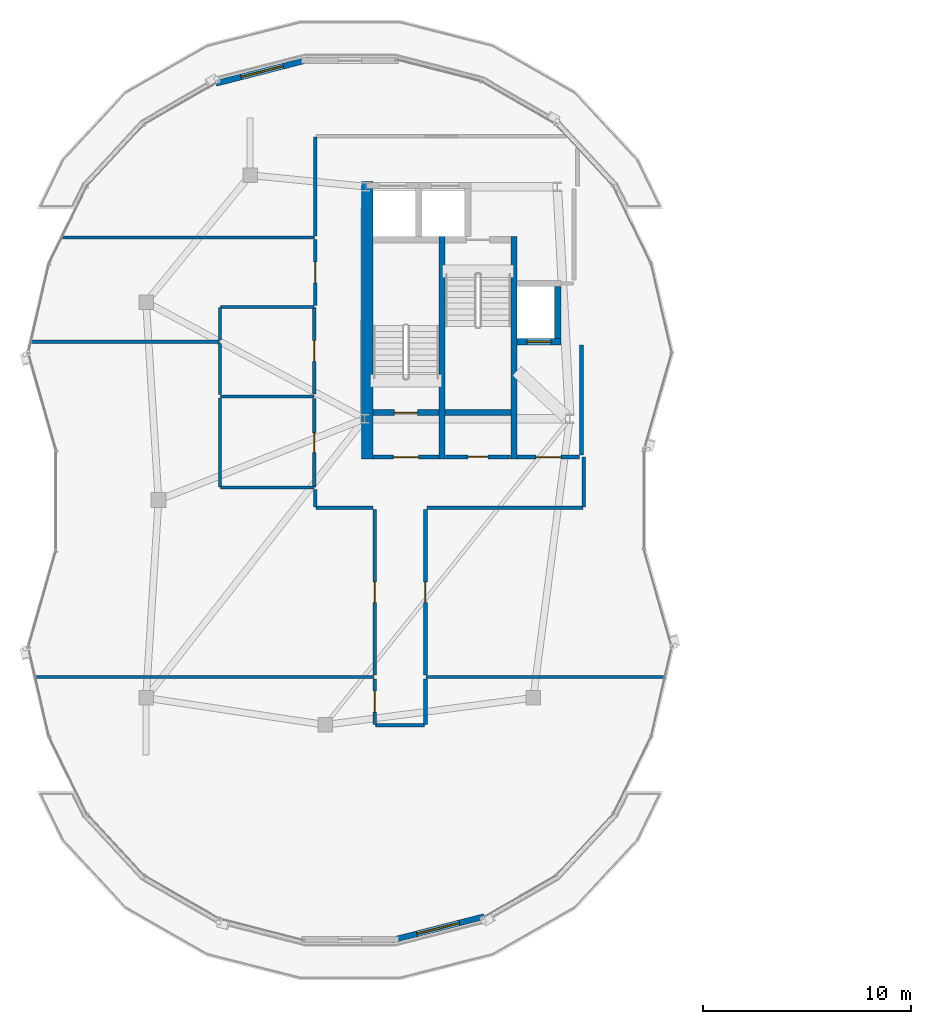
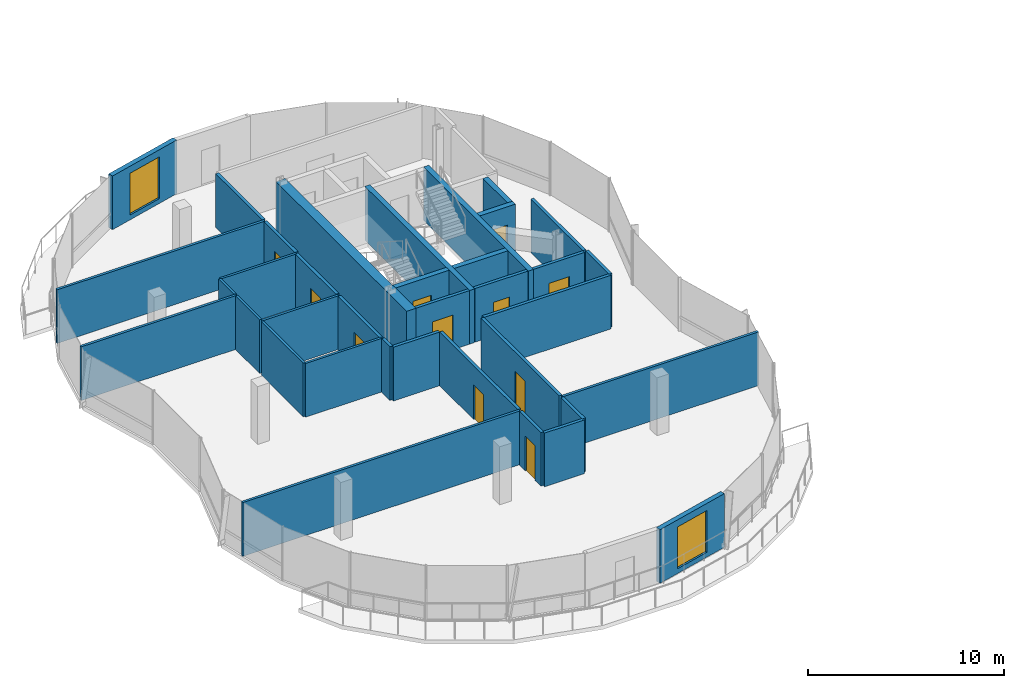
# One storey, part 12 of 20: 36 walls, 11 doors, 2 windows, 13 openings.
"""IFC4 building model written with IfcOpenShell, lengths in metres."""

from ifc_helpers import new_model, si_unit, direction, frame, frame_2d, origin, place, context, subcontext, project, spatial, rectangle, extrude, material, layer, layer_set, type_object, element, fill, save


model = new_model("IFC4")

# Units and contexts
model_context = context("Model", 3, precision=1e-05, world=origin(), true_north=direction((0.0, 1.0)))
body_context = subcontext(model_context, "Body", "Model", "MODEL_VIEW")
ifc_project = project(units=[si_unit("LENGTHUNIT", "METRE"), si_unit("AREAUNIT", "SQUARE_METRE"), si_unit("VOLUMEUNIT", "CUBIC_METRE"), si_unit("PLANEANGLEUNIT", "RADIAN"), si_unit("MASSUNIT", "GRAM", prefix="KILO"), si_unit("THERMODYNAMICTEMPERATUREUNIT", "KELVIN"), si_unit("POWERUNIT", "WATT")], contexts=[model_context])

# Site, building, storey
site_placement = place(None, origin())
site = spatial("IfcSite", under=ifc_project, at=site_placement, CompositionType="ELEMENT")
building_placement = place(site_placement, origin())
building = spatial("IfcBuilding", under=site, at=building_placement, Name="Cundina Bronze Exchange", CompositionType="ELEMENT")
storey_placement = place(building_placement, frame((0.0, 0.0, 279.199951171875)))
storey = spatial("IfcBuildingStorey", under=building, at=storey_placement, Name="L74", CompositionType="ELEMENT", Elevation=279.199951171875)

# Wall
ifc_material_1 = material(Name="Gypsum Fireboard Partition EI120")
ifc_layer_1 = layer(ifc_material_1, 0.179931640625, Name="Gypsum Fireboard Partition EI120")
ifc_layer_set_1 = layer_set([ifc_layer_1], Name="Gypsum Fireboard Partition EI120")
wall_type_1 = type_object("IfcWallType", Name="WL-COR-180", PredefinedType="PARTITIONING", material=ifc_layer_set_1)
wall_1_placement = place(storey_placement, frame((-20.889892578125, 2.14990234375, 0.0), z_axis=(0.0, 0.0, 1.0), x_axis=(0.0, 1.0, 0.0)))
element("IfcWall", 1, at=wall_1_placement, inside=storey, type_object=wall_type_1, Name="L74 W Firefighting Lobby Side Wall", PredefinedType="PARTITIONING", context=body_context, shape_type="SweptSolid", body=[
    extrude(rectangle(XDim=5.300048828125, YDim=0.179931640625, at=frame_2d((2.64990234375, 0.0))), origin(), (0.0, 0.0, 1.0), 3.340087890625),
])

# Wall, opening, door
wall_2_placement = place(storey_placement, frame((-23.97998046875, 2.06005859375, 0.0), z_axis=(0.0, 0.0, 1.0), x_axis=(1.0, 0.0, 0.0)))
wall_2 = element("IfcWall", 2, at=wall_2_placement, inside=storey, type_object=wall_type_1, Name="L74 W Firefighting Lobby Exit Wall", PredefinedType="PARTITIONING", context=body_context, shape_type="SweptSolid", body=[
    extrude(rectangle(XDim=3.0, YDim=0.179931640625, at=frame_2d((1.5, 0.0))), origin(), (0.0, 0.0, 1.0), 3.340087890625),
])
opening_1_placement = place(wall_2_placement, frame((0.89990234375, 0.0, 0.0)))
opening_1 = element("IfcOpeningElement", 3, at=opening_1_placement, cuts=wall_2, Name="Opening DF-01", PredefinedType="OPENING", context=body_context, shape_type="SweptSolid", body=[
    extrude(rectangle(XDim=1.199951171875, YDim=2.14990234375, at=frame_2d((0.60009765625, 1.074951171875))), frame((0.0, 0.099853515625, 0.0), z_axis=(0.0, -1.0, 0.0), x_axis=(1.0, 0.0, 0.0)), (0.0, 0.0, 1.0), 0.199951171875),
])
ifc_material_2 = material(Name="Steel ASTM A36 Painted", Category="steel")
door_type_1 = type_object("IfcDoorType", Name="DR-FFL-1200", OperationType="NOTDEFINED", PredefinedType="DOOR", material=ifc_material_2)
door_1_placement = place(opening_1_placement, origin())
door_1 = element("IfcDoor", 4, at=door_1_placement, inside=storey, type_object=door_type_1, Name="L74 W Firefighting Lobby Door", OperationType="SINGLE_SWING_RIGHT", OverallHeight=2.14990234375, OverallWidth=1.199951171875, PredefinedType="DOOR", context=body_context, shape_type="SweptSolid", body=[
    extrude(rectangle(XDim=1.199951171875, YDim=2.14990234375, at=frame_2d((0.60009765625, 1.074951171875))), frame((0.0, 0.02490234375, 0.0), z_axis=(0.0, -1.0, 0.0), x_axis=(1.0, 0.0, 0.0)), (0.0, 0.0, 1.0), 0.050048828125),
])
fill(opening_1, door_1)

wall_3_placement = place(storey_placement, frame((-30.89990234375, 2.06005859375, 0.0), z_axis=(0.0, 0.0, 1.0), x_axis=(1.0, 0.0, 0.0)))
wall_3 = element("IfcWall", 5, at=wall_3_placement, inside=storey, type_object=wall_type_1, Name="L74 W Stair Vestibule Exit Wall", PredefinedType="PARTITIONING", context=body_context, shape_type="SweptSolid", body=[
    extrude(rectangle(XDim=3.159912109375, YDim=0.179931640625, at=frame_2d((1.580078125, 0.0))), origin(), (0.0, 0.0, 1.0), 3.340087890625),
])
opening_2_placement = place(wall_3_placement, frame((0.97998046875, 0.0, 0.0)))
opening_2 = element("IfcOpeningElement", 6, at=opening_2_placement, cuts=wall_3, Name="Opening DF-01", PredefinedType="OPENING", context=body_context, shape_type="SweptSolid", body=[
    extrude(rectangle(XDim=1.199951171875, YDim=2.14990234375, at=frame_2d((0.60009765625, 1.074951171875))), frame((0.0, 0.099853515625, 0.0), z_axis=(0.0, -1.0, 0.0), x_axis=(1.0, 0.0, 0.0)), (0.0, 0.0, 1.0), 0.199951171875),
])
door_2_placement = place(opening_2_placement, origin())
door_2 = element("IfcDoor", 7, at=door_2_placement, inside=storey, type_object=door_type_1, Name="L74 W Stair Vestibule Door", OperationType="SINGLE_SWING_LEFT", OverallHeight=2.14990234375, OverallWidth=1.199951171875, PredefinedType="DOOR", context=body_context, shape_type="SweptSolid", body=[
    extrude(rectangle(XDim=1.199951171875, YDim=2.14990234375, at=frame_2d((0.60009765625, 1.074951171875))), frame((0.0, 0.02490234375, 0.0), z_axis=(0.0, -1.0, 0.0), x_axis=(1.0, 0.0, 0.0)), (0.0, 0.0, 1.0), 0.050048828125),
])
fill(opening_2, door_2)

wall_4_placement = place(storey_placement, frame((-27.419921875, 2.070068359375, 0.0), z_axis=(0.0, 0.0, 1.0), x_axis=(1.0, 0.0, 0.0)))
wall_4 = element("IfcWall", 8, at=wall_4_placement, inside=storey, type_object=wall_type_1, Name="L74 Interior Partition 003", PredefinedType="PARTITIONING", context=body_context, shape_type="SweptSolid", body=[
    extrude(rectangle(XDim=3.119873046875, YDim=0.179931640625, at=frame_2d((1.56005859375, 0.0))), origin(), (0.0, 0.0, 1.0), 3.340087890625),
])
opening_3_placement = place(wall_4_placement, frame((1.0849609375, 0.0, 0.0)))
opening_3 = element("IfcOpeningElement", 9, at=opening_3_placement, cuts=wall_4, Name="Opening DW-01", PredefinedType="OPENING", context=body_context, shape_type="SweptSolid", body=[
    extrude(rectangle(XDim=0.949951171875, YDim=2.10009765625, at=frame_2d((0.47509765625, 1.050048828125))), frame((0.0, 0.099853515625, 0.0), z_axis=(0.0, -1.0, 0.0), x_axis=(1.0, 0.0, 0.0)), (0.0, 0.0, 1.0), 0.199951171875),
])
ifc_material_3 = material(Name="Solid Andean Oak Timber Grade A", Category="wood")
door_type_2 = type_object("IfcDoorType", Name="DR-WC-950", OperationType="NOTDEFINED", PredefinedType="DOOR", material=ifc_material_3)
door_3_placement = place(opening_3_placement, origin())
door_3 = element("IfcDoor", 10, at=door_3_placement, inside=storey, type_object=door_type_2, Name="L74 Interior Door 003", OperationType="SINGLE_SWING_LEFT", OverallHeight=2.10009765625, OverallWidth=0.949951171875, PredefinedType="DOOR", context=body_context, shape_type="SweptSolid", body=[
    extrude(rectangle(XDim=0.949951171875, YDim=2.10009765625, at=frame_2d((0.47509765625, 1.050048828125))), frame((0.0, 0.02490234375, 0.0), z_axis=(0.0, -1.0, 0.0), x_axis=(1.0, 0.0, 0.0)), (0.0, 0.0, 1.0), 0.050048828125),
])
fill(opening_3, door_3)

wall_5_placement = place(storey_placement, frame((-33.719970703125, 0.6201171875, 0.0), z_axis=(0.0, 0.0, 1.0), x_axis=(0.0, 1.0, 0.0)))
wall_5 = element("IfcWall", 11, at=wall_5_placement, inside=storey, type_object=wall_type_1, Name="L74 Interior Partition 010", PredefinedType="PARTITIONING", context=body_context, shape_type="SweptSolid", body=[
    extrude(rectangle(XDim=4.259765625, YDim=0.179931640625, at=frame_2d((2.1298828125, 0.0))), origin(), (0.0, 0.0, 1.0), 3.340087890625),
])
opening_4_placement = place(wall_5_placement, frame((1.655029296875, 0.0, 0.0)))
opening_4 = element("IfcOpeningElement", 12, at=opening_4_placement, cuts=wall_5, Name="Opening DW-01", PredefinedType="OPENING", context=body_context, shape_type="SweptSolid", body=[
    extrude(rectangle(XDim=0.949951171875, YDim=2.10009765625, at=frame_2d((0.47509765625, 1.050048828125))), frame((0.0, 0.099853515625, 0.0), z_axis=(0.0, -1.0, 0.0), x_axis=(1.0, 0.0, 0.0)), (0.0, 0.0, 1.0), 0.199951171875),
])
door_4_placement = place(opening_4_placement, origin())
door_4 = element("IfcDoor", 13, at=door_4_placement, inside=storey, type_object=door_type_2, Name="L74 Interior Door 010", OperationType="SINGLE_SWING_LEFT", OverallHeight=2.10009765625, OverallWidth=0.949951171875, PredefinedType="DOOR", context=body_context, shape_type="SweptSolid", body=[
    extrude(rectangle(XDim=0.949951171875, YDim=2.10009765625, at=frame_2d((0.47509765625, 1.050048828125))), frame((0.0, 0.02490234375, 0.0), z_axis=(0.0, -1.0, 0.0), x_axis=(1.0, 0.0, 0.0)), (0.0, 0.0, 1.0), 0.050048828125),
])
fill(opening_4, door_4)

wall_6_placement = place(storey_placement, frame((-33.719970703125, 5.080078125, 0.0), z_axis=(0.0, 0.0, 1.0), x_axis=(0.0, 1.0, 0.0)))
wall_6 = element("IfcWall", 14, at=wall_6_placement, inside=storey, type_object=wall_type_1, Name="L74 Interior Partition 011", PredefinedType="PARTITIONING", context=body_context, shape_type="SweptSolid", body=[
    extrude(rectangle(XDim=4.159912109375, YDim=0.179931640625, at=frame_2d((2.080078125, 0.0))), origin(), (0.0, 0.0, 1.0), 3.340087890625),
])
opening_5_placement = place(wall_6_placement, frame((1.580078125, 0.0, 0.0)))
opening_5 = element("IfcOpeningElement", 15, at=opening_5_placement, cuts=wall_6, Name="Opening DO-01", PredefinedType="OPENING", context=body_context, shape_type="SweptSolid", body=[
    extrude(rectangle(XDim=1.0, YDim=2.14990234375, at=frame_2d((0.5, 1.074951171875))), frame((0.0, 0.099853515625, 0.0), z_axis=(0.0, -1.0, 0.0), x_axis=(1.0, 0.0, 0.0)), (0.0, 0.0, 1.0), 0.199951171875),
])
door_type_3 = type_object("IfcDoorType", Name="DR-OFF-1000", OperationType="NOTDEFINED", PredefinedType="DOOR", material=ifc_material_3)
door_5_placement = place(opening_5_placement, origin())
door_5 = element("IfcDoor", 16, at=door_5_placement, inside=storey, type_object=door_type_3, Name="L74 Interior Door 011", OperationType="SINGLE_SWING_LEFT", OverallHeight=2.14990234375, OverallWidth=1.0, PredefinedType="DOOR", context=body_context, shape_type="SweptSolid", body=[
    extrude(rectangle(XDim=1.0, YDim=2.14990234375, at=frame_2d((0.5, 1.074951171875))), frame((0.0, 0.02490234375, 0.0), z_axis=(0.0, -1.0, 0.0), x_axis=(1.0, 0.0, 0.0)), (0.0, 0.0, 1.0), 0.050048828125),
])
fill(opening_5, door_5)

# Wall
wall_7_placement = place(storey_placement, frame((-30.778564453125, -10.820068359375, 0.0), z_axis=(0.0, 0.0, 1.0), x_axis=(1.0, 0.0, 0.0)))
element("IfcWall", 17, at=wall_7_placement, inside=storey, type_object=wall_type_1, Name="L74 Interior Partition 016", PredefinedType="PARTITIONING", context=body_context, shape_type="SweptSolid", body=[
    extrude(rectangle(XDim=2.357177734375, YDim=0.179931640625, at=frame_2d((1.1787109375, 0.0))), origin(), (0.0, 0.0, 1.0), 3.340087890625),
])

# Wall, opening, door
wall_8_placement = place(storey_placement, frame((-30.820068359375, -8.590087890625, 0.0), z_axis=(0.0, 0.0, 1.0), x_axis=(0.0, -1.0, 0.0)))
wall_8 = element("IfcWall", 18, at=wall_8_placement, inside=storey, type_object=wall_type_1, Name="L74 Interior Partition 017", PredefinedType="PARTITIONING", context=body_context, shape_type="SweptSolid", body=[
    extrude(rectangle(XDim=2.1884765625, YDim=0.179931640625, at=frame_2d((1.09423828125, 0.0))), origin(), (0.0, 0.0, 1.0), 3.340087890625),
])
opening_6_placement = place(wall_8_placement, frame((0.59423828125, 0.0, 0.0)))
opening_6 = element("IfcOpeningElement", 19, at=opening_6_placement, cuts=wall_8, Name="Opening DO-01", PredefinedType="OPENING", context=body_context, shape_type="SweptSolid", body=[
    extrude(rectangle(XDim=1.0, YDim=2.14990234375, at=frame_2d((0.5, 1.074951171875))), frame((0.0, 0.099853515625, 0.0), z_axis=(0.0, -1.0, 0.0), x_axis=(1.0, 0.0, 0.0)), (0.0, 0.0, 1.0), 0.199951171875),
])
door_6_placement = place(opening_6_placement, origin())
door_6 = element("IfcDoor", 20, at=door_6_placement, inside=storey, type_object=door_type_3, Name="L74 Interior Door 017", OperationType="SINGLE_SWING_LEFT", OverallHeight=2.14990234375, OverallWidth=1.0, PredefinedType="DOOR", context=body_context, shape_type="SweptSolid", body=[
    extrude(rectangle(XDim=1.0, YDim=2.14990234375, at=frame_2d((0.5, 1.074951171875))), frame((0.0, 0.02490234375, 0.0), z_axis=(0.0, -1.0, 0.0), x_axis=(1.0, 0.0, 0.0)), (0.0, 0.0, 1.0), 0.050048828125),
])
fill(opening_6, door_6)

# Wall
wall_9_placement = place(storey_placement, frame((-28.3798828125, -10.778564453125, 0.0), z_axis=(0.0, 0.0, 1.0), x_axis=(0.0, 1.0, 0.0)))
element("IfcWall", 21, at=wall_9_placement, inside=storey, type_object=wall_type_1, Name="L74 Interior Partition 018", PredefinedType="PARTITIONING", context=body_context, shape_type="SweptSolid", body=[
    extrude(rectangle(XDim=2.1884765625, YDim=0.179931640625, at=frame_2d((1.09423828125, 0.0))), origin(), (0.0, 0.0, 1.0), 3.340087890625),
])

# Wall, opening, door
wall_10_placement = place(storey_placement, frame((-30.820068359375, -0.449951171875, 0.0), z_axis=(0.0, 0.0, 1.0), x_axis=(0.0, -1.0, 0.0)))
wall_10 = element("IfcWall", 22, at=wall_10_placement, inside=storey, type_object=wall_type_1, Name="L74 Interior Partition 019", PredefinedType="PARTITIONING", context=body_context, shape_type="SweptSolid", body=[
    extrude(rectangle(XDim=7.9599609375, YDim=0.179931640625, at=frame_2d((3.97998046875, 0.0))), origin(), (0.0, 0.0, 1.0), 3.340087890625),
])
opening_7_placement = place(wall_10_placement, frame((3.47998046875, 0.0, 0.0)))
opening_7 = element("IfcOpeningElement", 23, at=opening_7_placement, cuts=wall_10, Name="Opening DO-01", PredefinedType="OPENING", context=body_context, shape_type="SweptSolid", body=[
    extrude(rectangle(XDim=1.0, YDim=2.14990234375, at=frame_2d((0.5, 1.074951171875))), frame((0.0, 0.099853515625, 0.0), z_axis=(0.0, -1.0, 0.0), x_axis=(1.0, 0.0, 0.0)), (0.0, 0.0, 1.0), 0.199951171875),
])
door_7_placement = place(opening_7_placement, origin())
door_7 = element("IfcDoor", 24, at=door_7_placement, inside=storey, type_object=door_type_3, Name="L74 Interior Door 019", OperationType="SINGLE_SWING_LEFT", OverallHeight=2.14990234375, OverallWidth=1.0, PredefinedType="DOOR", context=body_context, shape_type="SweptSolid", body=[
    extrude(rectangle(XDim=1.0, YDim=2.14990234375, at=frame_2d((0.5, 1.074951171875))), frame((0.0, 0.02490234375, 0.0), z_axis=(0.0, -1.0, 0.0), x_axis=(1.0, 0.0, 0.0)), (0.0, 0.0, 1.0), 0.050048828125),
])
fill(opening_7, door_7)

# Walls
wall_11_placement = place(storey_placement, frame((-33.62841796875, -0.3701171875, 0.0), z_axis=(0.0, 0.0, 1.0), x_axis=(1.0, 0.0, 0.0)))
element("IfcWall", 25, at=wall_11_placement, inside=storey, type_object=wall_type_1, Name="L74 Interior Partition 020", PredefinedType="PARTITIONING", context=body_context, shape_type="SweptSolid", body=[
    extrude(rectangle(XDim=2.728515625, YDim=0.179931640625, at=frame_2d((1.3642578125, 0.0))), origin(), (0.0, 0.0, 1.0), 3.340087890625),
])
wall_12_placement = place(storey_placement, frame((-33.669921875, 0.508544921875, 0.0), z_axis=(0.0, 0.0, 1.0), x_axis=(0.0, -1.0, 0.0)))
element("IfcWall", 26, at=wall_12_placement, inside=storey, type_object=wall_type_1, Name="L74 Interior Partition 021", PredefinedType="PARTITIONING", context=body_context, shape_type="SweptSolid", body=[
    extrude(rectangle(XDim=0.837158203125, YDim=0.179931640625, at=frame_2d((0.41845703125, 0.0))), origin(), (0.0, 0.0, 1.0), 3.340087890625),
])

# Wall, opening, door
wall_13_placement = place(storey_placement, frame((-28.3798828125, -8.409912109375, 0.0), z_axis=(0.0, 0.0, 1.0), x_axis=(0.0, 1.0, 0.0)))
wall_13 = element("IfcWall", 27, at=wall_13_placement, inside=storey, type_object=wall_type_1, Name="L74 Interior Partition 022", PredefinedType="PARTITIONING", context=body_context, shape_type="SweptSolid", body=[
    extrude(rectangle(XDim=7.9599609375, YDim=0.179931640625, at=frame_2d((3.97998046875, 0.0))), origin(), (0.0, 0.0, 1.0), 3.340087890625),
])
opening_8_placement = place(wall_13_placement, frame((3.47998046875, 0.0, 0.0)))
opening_8 = element("IfcOpeningElement", 28, at=opening_8_placement, cuts=wall_13, Name="Opening DO-01", PredefinedType="OPENING", context=body_context, shape_type="SweptSolid", body=[
    extrude(rectangle(XDim=1.0, YDim=2.14990234375, at=frame_2d((0.5, 1.074951171875))), frame((0.0, 0.099853515625, 0.0), z_axis=(0.0, -1.0, 0.0), x_axis=(1.0, 0.0, 0.0)), (0.0, 0.0, 1.0), 0.199951171875),
])
door_8_placement = place(opening_8_placement, origin())
door_8 = element("IfcDoor", 29, at=door_8_placement, inside=storey, type_object=door_type_3, Name="L74 Interior Door 022", OperationType="SINGLE_SWING_RIGHT", OverallHeight=2.14990234375, OverallWidth=1.0, PredefinedType="DOOR", context=body_context, shape_type="SweptSolid", body=[
    extrude(rectangle(XDim=1.0, YDim=2.14990234375, at=frame_2d((0.5, 1.074951171875))), frame((0.0, 0.02490234375, 0.0), z_axis=(0.0, -1.0, 0.0), x_axis=(1.0, 0.0, 0.0)), (0.0, 0.0, 1.0), 0.050048828125),
])
fill(opening_8, door_8)

# Walls
wall_14_placement = place(storey_placement, frame((-28.300048828125, -0.3701171875, 0.0), z_axis=(0.0, 0.0, 1.0), x_axis=(1.0, 0.0, 0.0)))
element("IfcWall", 30, at=wall_14_placement, inside=storey, type_object=wall_type_1, Name="L74 Interior Partition 023", PredefinedType="PARTITIONING", context=body_context, shape_type="SweptSolid", body=[
    extrude(rectangle(XDim=7.478515625, YDim=0.179931640625, at=frame_2d((3.7392578125, 0.0))), origin(), (0.0, 0.0, 1.0), 3.340087890625),
])
wall_15_placement = place(storey_placement, frame((-20.780029296875, -0.32861328125, 0.0), z_axis=(0.0, 0.0, 1.0), x_axis=(0.0, 1.0, 0.0)))
element("IfcWall", 31, at=wall_15_placement, inside=storey, type_object=wall_type_1, Name="L74 Interior Partition 024", PredefinedType="PARTITIONING", context=body_context, shape_type="SweptSolid", body=[
    extrude(rectangle(XDim=2.38720703125, YDim=0.179931640625, at=frame_2d((1.193603515625, 0.0))), origin(), (0.0, 0.0, 1.0), 3.340087890625),
])

# Wall, opening, door
wall_16_placement = place(storey_placement, frame((-33.669921875, 12.510009765625, 0.0), z_axis=(0.0, 0.0, 1.0), x_axis=(0.0, -1.0, 0.0)))
wall_16 = element("IfcWall", 32, at=wall_16_placement, inside=storey, type_object=wall_type_1, Name="L74 Interior Partition 026", PredefinedType="PARTITIONING", context=body_context, shape_type="SweptSolid", body=[
    extrude(rectangle(XDim=3.15869140625, YDim=0.179931640625, at=frame_2d((1.579345703125, 0.0))), origin(), (0.0, 0.0, 1.0), 3.340087890625),
])
opening_9_placement = place(wall_16_placement, frame((1.079345703125, 0.0, 0.0)))
opening_9 = element("IfcOpeningElement", 33, at=opening_9_placement, cuts=wall_16, Name="Opening DO-01", PredefinedType="OPENING", context=body_context, shape_type="SweptSolid", body=[
    extrude(rectangle(XDim=1.0, YDim=2.14990234375, at=frame_2d((0.5, 1.074951171875))), frame((0.0, 0.099853515625, 0.0), z_axis=(0.0, -1.0, 0.0), x_axis=(1.0, 0.0, 0.0)), (0.0, 0.0, 1.0), 0.199951171875),
])
door_9_placement = place(opening_9_placement, origin())
door_9 = element("IfcDoor", 34, at=door_9_placement, inside=storey, type_object=door_type_3, Name="L74 Interior Door 026", OperationType="SINGLE_SWING_RIGHT", OverallHeight=2.14990234375, OverallWidth=1.0, PredefinedType="DOOR", context=body_context, shape_type="SweptSolid", body=[
    extrude(rectangle(XDim=1.0, YDim=2.14990234375, at=frame_2d((0.5, 1.074951171875))), frame((0.0, 0.02490234375, 0.0), z_axis=(0.0, -1.0, 0.0), x_axis=(1.0, 0.0, 0.0)), (0.0, 0.0, 1.0), 0.050048828125),
])
fill(opening_9, door_9)

# Walls
wall_17_placement = place(storey_placement, frame((-33.669921875, 17.428466796875, 0.0), z_axis=(0.0, 0.0, 1.0), x_axis=(0.0, -1.0, 0.0)))
element("IfcWall", 35, at=wall_17_placement, inside=storey, type_object=wall_type_1, Name="L74 Interior Partition 028", PredefinedType="PARTITIONING", context=body_context, shape_type="SweptSolid", body=[
    extrude(rectangle(XDim=4.738525390625, YDim=0.179931640625, at=frame_2d((2.369140625, 0.0))), origin(), (0.0, 0.0, 1.0), 3.340087890625),
])
ifc_material_4 = material(Name="Concrete C50/60", Category="concrete")
ifc_layer_2 = layer(ifc_material_4, 0.550048828125, Name="Concrete C50/60", Category="concrete")
ifc_layer_set_2 = layer_set([ifc_layer_2], Name="Concrete C50/60")
wall_type_2 = type_object("IfcWallType", Name="WL-CORE-550", PredefinedType="SHEAR", material=ifc_layer_set_2)
wall_18_placement = place(storey_placement, frame((-31.175048828125, 1.969970703125, 0.0), z_axis=(0.0, 0.0, 1.0), x_axis=(0.0, 1.0, 0.0)))
element("IfcWall", 36, at=wall_18_placement, inside=storey, type_object=wall_type_2, Name="L74 W Primary Core Shear Spine Wall", PredefinedType="SHEAR", context=body_context, shape_type="SweptSolid", body=[
    extrude(rectangle(XDim=13.330078125, YDim=0.550048828125, at=frame_2d((6.6650390625, 0.0))), origin(), (0.0, 0.0, 1.0), 3.340087890625),
])

# Wall, opening, window
ifc_material_5 = material(Name="Precast Concrete C45/55", Category="concrete")
ifc_layer_3 = layer(ifc_material_5, 0.280029296875, Name="Precast Concrete C45/55", Category="concrete")
ifc_layer_set_3 = layer_set([ifc_layer_3], Name="Precast Concrete C45/55")
wall_type_3 = type_object("IfcWallType", Name="WL-EXT-280", PredefinedType="SOLIDWALL", material=ifc_layer_set_3)
wall_19_placement = place(storey_placement, frame((-34.006591796875, 21.1455078125, 0.0), z_axis=(0.0, 0.0, 1.0), x_axis=(-0.968658938671, -0.248394566232, 0.0)))
wall_19 = element("IfcWall", 37, at=wall_19_placement, inside=storey, type_object=wall_type_3, Name="L74 Leg W Crown Feature Wall 07", PredefinedType="SOLIDWALL", context=body_context, shape_type="SweptSolid", body=[
    extrude(rectangle(XDim=4.585205078125, YDim=0.280029296875, at=frame_2d((2.29248046875, 0.0))), origin(), (0.0, 0.0, 1.0), 3.340087890625),
])
opening_10_placement = place(wall_19_placement, frame((1.242919921875, 0.0, 0.300048828125)))
opening_10 = element("IfcOpeningElement", 38, at=opening_10_placement, cuts=wall_19, Name="Opening W-04", PredefinedType="OPENING", context=body_context, shape_type="SweptSolid", body=[
    extrude(rectangle(XDim=2.10009765625, YDim=2.60009765625, at=frame_2d((1.050048828125, 1.300048828125))), frame((0.0, 0.14990234375, 0.0), z_axis=(0.0, -1.0, 0.0), x_axis=(1.0, 0.0, 0.0)), (0.0, 0.0, 1.0), 0.300048828125),
])
ifc_material_6 = material(Name="Clear Low-E Insulating Glass 26mm", Category="glass")
window_type = type_object("IfcWindowType", Name="WN-CRN-2100", PartitioningType="SINGLE_PANEL", PredefinedType="WINDOW", material=ifc_material_6)
window_1_placement = place(opening_10_placement, origin())
window_1 = element("IfcWindow", 39, at=window_1_placement, inside=storey, type_object=window_type, Name="L74 Leg W Crown Pavilion Window 07", OverallHeight=2.60009765625, OverallWidth=2.10009765625, PartitioningType="SINGLE_PANEL", PredefinedType="WINDOW", context=body_context, shape_type="SweptSolid", body=[
    extrude(rectangle(XDim=2.10009765625, YDim=2.60009765625, at=frame_2d((1.050048828125, 1.300048828125))), frame((0.0, 0.030029296875, 0.0), z_axis=(0.0, -1.0, 0.0), x_axis=(1.0, 0.0, 0.0)), (0.0, 0.0, 1.0), 0.06005859375),
])
fill(opening_10, window_1)

wall_20_placement = place(storey_placement, frame((-29.993408203125, -21.1455078125, 0.0), z_axis=(0.0, 0.0, 1.0), x_axis=(0.968658938671, 0.248394566232, 0.0)))
wall_20 = element("IfcWall", 40, at=wall_20_placement, inside=storey, type_object=wall_type_3, Name="L74 Leg W Crown Feature Wall 21", PredefinedType="SOLIDWALL", context=body_context, shape_type="SweptSolid", body=[
    extrude(rectangle(XDim=4.585205078125, YDim=0.280029296875, at=frame_2d((2.29248046875, 0.0))), origin(), (0.0, 0.0, 1.0), 3.340087890625),
])
opening_11_placement = place(wall_20_placement, frame((1.242919921875, 0.0, 0.300048828125)))
opening_11 = element("IfcOpeningElement", 41, at=opening_11_placement, cuts=wall_20, Name="Opening W-04", PredefinedType="OPENING", context=body_context, shape_type="SweptSolid", body=[
    extrude(rectangle(XDim=2.10009765625, YDim=2.60009765625, at=frame_2d((1.050048828125, 1.300048828125))), frame((0.0, 0.14990234375, 0.0), z_axis=(0.0, -1.0, 0.0), x_axis=(1.0, 0.0, 0.0)), (0.0, 0.0, 1.0), 0.300048828125),
])
window_2_placement = place(opening_11_placement, origin())
window_2 = element("IfcWindow", 42, at=window_2_placement, inside=storey, type_object=window_type, Name="L74 Leg W Crown Pavilion Window 21", OverallHeight=2.60009765625, OverallWidth=2.10009765625, PartitioningType="SINGLE_PANEL", PredefinedType="WINDOW", context=body_context, shape_type="SweptSolid", body=[
    extrude(rectangle(XDim=2.10009765625, YDim=2.60009765625, at=frame_2d((1.050048828125, 1.300048828125))), frame((0.0, 0.030029296875, 0.0), z_axis=(0.0, -1.0, 0.0), x_axis=(1.0, 0.0, 0.0)), (0.0, 0.0, 1.0), 0.06005859375),
])
fill(opening_11, window_2)

# Walls
ifc_layer_4 = layer(ifc_material_4, 0.300048828125, Name="Concrete C50/60", Category="concrete")
ifc_layer_set_4 = layer_set([ifc_layer_4], Name="Concrete C50/60")
wall_type_4 = type_object("IfcWallType", Name="WL-SHFT-300", PredefinedType="SHEAR", material=ifc_layer_set_4)
for number, where, z_axis, x_axis, name in (
    (43, (-27.590087890625, 1.969970703125, 0.0), (0.0, 0.0, 1.0), (0.0, 1.0, 0.0), "L74 W Stair Shaft Dividing Shear Wall"),
    (44, (-24.1298828125, 1.969970703125, 0.0), (0.0, 0.0, 1.0), (0.0, 1.0, 0.0), "L74 W Stair 2 East Shear Wall"),
):
    element("IfcWall", number, at=place(storey_placement, frame(where, z_axis=z_axis, x_axis=x_axis)), inside=storey, type_object=wall_type_4, Name=name, PredefinedType="SHEAR", context=body_context, shape_type="SweptSolid", body=[
        extrude(rectangle(XDim=10.679931640625, YDim=0.300048828125, at=frame_2d((5.33984375, 0.0))), origin(), (0.0, 0.0, 1.0), 3.340087890625),
    ])

# Wall, opening, door
wall_21_placement = place(storey_placement, frame((-30.89990234375, 4.199951171875, 0.0), z_axis=(0.0, 0.0, 1.0), x_axis=(1.0, 0.0, 0.0)))
wall_21 = element("IfcWall", 45, at=wall_21_placement, inside=storey, type_object=wall_type_4, Name="L74 Stair W1 Landing Wall", PredefinedType="SHEAR", context=body_context, shape_type="SweptSolid", body=[
    extrude(rectangle(XDim=3.159912109375, YDim=0.300048828125, at=frame_2d((1.580078125, 0.0))), origin(), (0.0, 0.0, 1.0), 3.340087890625),
])
opening_12_placement = place(wall_21_placement, frame((1.030029296875, 0.0, 0.0)))
opening_12 = element("IfcOpeningElement", 46, at=opening_12_placement, cuts=wall_21, Name="Opening DS-01", PredefinedType="OPENING", context=body_context, shape_type="SweptSolid", body=[
    extrude(rectangle(XDim=1.10009765625, YDim=2.14990234375, at=frame_2d((0.550048828125, 1.074951171875))), frame((0.0, 0.159912109375, 0.0), z_axis=(0.0, -1.0, 0.0), x_axis=(1.0, 0.0, 0.0)), (0.0, 0.0, 1.0), 0.320068359375),
])
door_type_4 = type_object("IfcDoorType", Name="DR-STR-1100", OperationType="NOTDEFINED", PredefinedType="DOOR", material=ifc_material_2)
door_10_placement = place(opening_12_placement, origin())
door_10 = element("IfcDoor", 47, at=door_10_placement, inside=storey, type_object=door_type_4, Name="L74 Smokeproof Stair W1 Door", OperationType="SINGLE_SWING_RIGHT", OverallHeight=2.14990234375, OverallWidth=1.10009765625, PredefinedType="DOOR", context=body_context, shape_type="SweptSolid", body=[
    extrude(rectangle(XDim=1.10009765625, YDim=2.14990234375, at=frame_2d((0.550048828125, 1.074951171875))), frame((0.0, 0.02490234375, 0.0), z_axis=(0.0, -1.0, 0.0), x_axis=(1.0, 0.0, 0.0)), (0.0, 0.0, 1.0), 0.050048828125),
])
fill(opening_12, door_10)

# Wall
wall_22_placement = place(storey_placement, frame((-27.43994140625, 4.199951171875, 0.0), z_axis=(0.0, 0.0, 1.0), x_axis=(1.0, 0.0, 0.0)))
element("IfcWall", 48, at=wall_22_placement, inside=storey, type_object=wall_type_4, Name="L74 Stair W2 Far Shaft Wall", PredefinedType="SHEAR", context=body_context, shape_type="SweptSolid", body=[
    extrude(rectangle(XDim=3.159912109375, YDim=0.300048828125, at=frame_2d((1.580078125, 0.0))), origin(), (0.0, 0.0, 1.0), 3.340087890625),
])

# Wall, opening, door
wall_23_placement = place(storey_placement, frame((-23.97998046875, 7.60009765625, 0.0), z_axis=(0.0, 0.0, 1.0), x_axis=(1.0, 0.0, 0.0)))
wall_23 = element("IfcWall", 49, at=wall_23_placement, inside=storey, type_object=wall_type_4, Name="L74 FFL-W Hoistway Front Wall", PredefinedType="SHEAR", context=body_context, shape_type="SweptSolid", body=[
    extrude(rectangle(XDim=2.10009765625, YDim=0.300048828125, at=frame_2d((1.050048828125, 0.0))), origin(), (0.0, 0.0, 1.0), 3.340087890625),
])
opening_13_placement = place(wall_23_placement, frame((0.47509765625, 0.0, 0.0)))
opening_13 = element("IfcOpeningElement", 50, at=opening_13_placement, cuts=wall_23, Name="Opening LD-01", PredefinedType="OPENING", context=body_context, shape_type="SweptSolid", body=[
    extrude(rectangle(XDim=1.14990234375, YDim=2.199951171875, at=frame_2d((0.574951171875, 1.10009765625))), frame((0.0, 0.159912109375, 0.0), z_axis=(0.0, -1.0, 0.0), x_axis=(1.0, 0.0, 0.0)), (0.0, 0.0, 1.0), 0.320068359375),
])
door_type_5 = type_object("IfcDoorType", Name="DR-LND-1150", OperationType="NOTDEFINED", PredefinedType="TRAPDOOR", material=ifc_material_2)
door_11_placement = place(opening_13_placement, origin())
door_11 = element("IfcDoor", 51, at=door_11_placement, inside=storey, type_object=door_type_5, Name="L74 FFL-W Sliding Landing Door", OperationType="SLIDING_TO_LEFT", OverallHeight=2.199951171875, OverallWidth=1.14990234375, PredefinedType="TRAPDOOR", context=body_context, shape_type="SweptSolid", body=[
    extrude(rectangle(XDim=1.14990234375, YDim=2.199951171875, at=frame_2d((0.574951171875, 1.10009765625))), frame((0.0, 0.02490234375, 0.0), z_axis=(0.0, -1.0, 0.0), x_axis=(1.0, 0.0, 0.0)), (0.0, 0.0, 1.0), 0.050048828125),
])
fill(opening_13, door_11)

# Walls
wall_24_placement = place(storey_placement, frame((-22.030029296875, 7.75, 0.0), z_axis=(0.0, 0.0, 1.0), x_axis=(0.0, 1.0, 0.0)))
element("IfcWall", 52, at=wall_24_placement, inside=storey, type_object=wall_type_4, Name="L74 FFL-W Hoistway Side Wall", PredefinedType="SHEAR", context=body_context, shape_type="SweptSolid", body=[
    extrude(rectangle(XDim=2.5, YDim=0.300048828125, at=frame_2d((1.25, 0.0))), origin(), (0.0, 0.0, 1.0), 3.340087890625),
])
ifc_material_7 = material(Name="Gypsum Acoustic Partition EI60")
ifc_layer_5 = layer(ifc_material_7, 0.14990234375, Name="Gypsum Acoustic Partition EI60")
ifc_layer_set_5 = layer_set([ifc_layer_5], Name="Gypsum Acoustic Partition EI60")
wall_type_5 = type_object("IfcWallType", Name="WL-TEN-150", PredefinedType="PARTITIONING", material=ifc_layer_set_5)
wall_25_placement = place(storey_placement, frame((-47.172119140625, -8.5, 0.0), z_axis=(0.0, 0.0, 1.0), x_axis=(1.0, 0.0, 0.0)))
element("IfcWall", 53, at=wall_25_placement, inside=storey, type_object=wall_type_5, Name="L74 Interior Partition 012", PredefinedType="PARTITIONING", context=body_context, shape_type="SweptSolid", body=[
    extrude(rectangle(XDim=16.322021484375, YDim=0.14990234375, at=frame_2d((8.1611328125, 0.0))), origin(), (0.0, 0.0, 1.0), 3.340087890625),
])
wall_26_placement = place(storey_placement, frame((-28.35009765625, -8.5, 0.0), z_axis=(0.0, 0.0, 1.0), x_axis=(1.0, 0.0, 0.0)))
element("IfcWall", 54, at=wall_26_placement, inside=storey, type_object=wall_type_5, Name="L74 Interior Partition 013", PredefinedType="PARTITIONING", context=body_context, shape_type="SweptSolid", body=[
    extrude(rectangle(XDim=11.522216796875, YDim=0.14990234375, at=frame_2d((5.76123046875, 0.0))), origin(), (0.0, 0.0, 1.0), 3.340087890625),
])
wall_27_placement = place(storey_placement, frame((-47.380126953125, 7.60009765625, 0.0), z_axis=(0.0, 0.0, 1.0), x_axis=(1.0, 0.0, 0.0)))
element("IfcWall", 55, at=wall_27_placement, inside=storey, type_object=wall_type_5, Name="L74 Interior Partition 014", PredefinedType="PARTITIONING", context=body_context, shape_type="SweptSolid", body=[
    extrude(rectangle(XDim=9.110107421875, YDim=0.14990234375, at=frame_2d((4.55517578125, 0.0))), origin(), (0.0, 0.0, 1.0), 3.340087890625),
])
wall_28_placement = place(storey_placement, frame((-45.90869140625, 12.60009765625, 0.0), z_axis=(0.0, 0.0, 1.0), x_axis=(1.0, 0.0, 0.0)))
element("IfcWall", 56, at=wall_28_placement, inside=storey, type_object=wall_type_5, Name="L74 Interior Partition 015", PredefinedType="PARTITIONING", context=body_context, shape_type="SweptSolid", body=[
    extrude(rectangle(XDim=12.208740234375, YDim=0.14990234375, at=frame_2d((6.1044921875, 0.0))), origin(), (0.0, 0.0, 1.0), 3.340087890625),
])
ifc_material_8 = material(Name="Moisture-Resistant Masonry Block Grade M15", Category="masonry")
ifc_layer_6 = layer(ifc_material_8, 0.139892578125, Name="Moisture-Resistant Masonry Block Grade M15", Category="masonry")
ifc_layer_set_6 = layer_set([ifc_layer_6], Name="Moisture-Resistant Masonry Block Grade M15")
wall_type_6 = type_object("IfcWallType", Name="WL-WET-140", PredefinedType="PARTITIONING", material=ifc_layer_set_6)
wall_29_placement = place(storey_placement, frame((-38.239990234375, 0.6201171875, 0.0), z_axis=(0.0, 0.0, 1.0), x_axis=(0.0, 1.0, 0.0)))
element("IfcWall", 57, at=wall_29_placement, inside=storey, type_object=wall_type_6, Name="L74 Interior Partition 004", PredefinedType="PARTITIONING", context=body_context, shape_type="SweptSolid", body=[
    extrude(rectangle(XDim=4.27490234375, YDim=0.139892578125, at=frame_2d((2.137451171875, 0.0))), origin(), (0.0, 0.0, 1.0), 3.340087890625),
])
wall_30_placement = place(storey_placement, frame((-38.239990234375, 5.06494140625, 0.0), z_axis=(0.0, 0.0, 1.0), x_axis=(0.0, 1.0, 0.0)))
element("IfcWall", 58, at=wall_30_placement, inside=storey, type_object=wall_type_6, Name="L74 Interior Partition 005", PredefinedType="PARTITIONING", context=body_context, shape_type="SweptSolid", body=[
    extrude(rectangle(XDim=2.449951171875, YDim=0.139892578125, at=frame_2d((1.22509765625, 0.0))), origin(), (0.0, 0.0, 1.0), 3.340087890625),
])
wall_31_placement = place(storey_placement, frame((-38.239990234375, 7.68505859375, 0.0), z_axis=(0.0, 0.0, 1.0), x_axis=(0.0, 1.0, 0.0)))
element("IfcWall", 59, at=wall_31_placement, inside=storey, type_object=wall_type_6, Name="L74 Interior Partition 006", PredefinedType="PARTITIONING", context=body_context, shape_type="SweptSolid", body=[
    extrude(rectangle(XDim=1.554931640625, YDim=0.139892578125, at=frame_2d((0.77734375, 0.0))), origin(), (0.0, 0.0, 1.0), 3.340087890625),
])
for number, where, z_axis, x_axis, name in (
    (60, (-38.219970703125, 0.60009765625, 0.0), (0.0, 0.0, 1.0), (1.0, 0.0, 0.0), "L74 Interior Partition 007"),
    (61, (-38.219970703125, 4.97998046875, 0.0), (0.0, 0.0, 1.0), (1.0, 0.0, 0.0), "L74 Interior Partition 008"),
    (62, (-38.219970703125, 9.260009765625, 0.0), (0.0, 0.0, 1.0), (1.0, 0.0, 0.0), "L74 Interior Partition 009"),
):
    element("IfcWall", number, at=place(storey_placement, frame(where, z_axis=z_axis, x_axis=x_axis)), inside=storey, type_object=wall_type_6, Name=name, PredefinedType="PARTITIONING", context=body_context, shape_type="SweptSolid", body=[
        extrude(rectangle(XDim=4.47998046875, YDim=0.139892578125, at=frame_2d((2.239990234375, 0.0))), origin(), (0.0, 0.0, 1.0), 3.340087890625),
    ])

save(model, "model.ifc")
